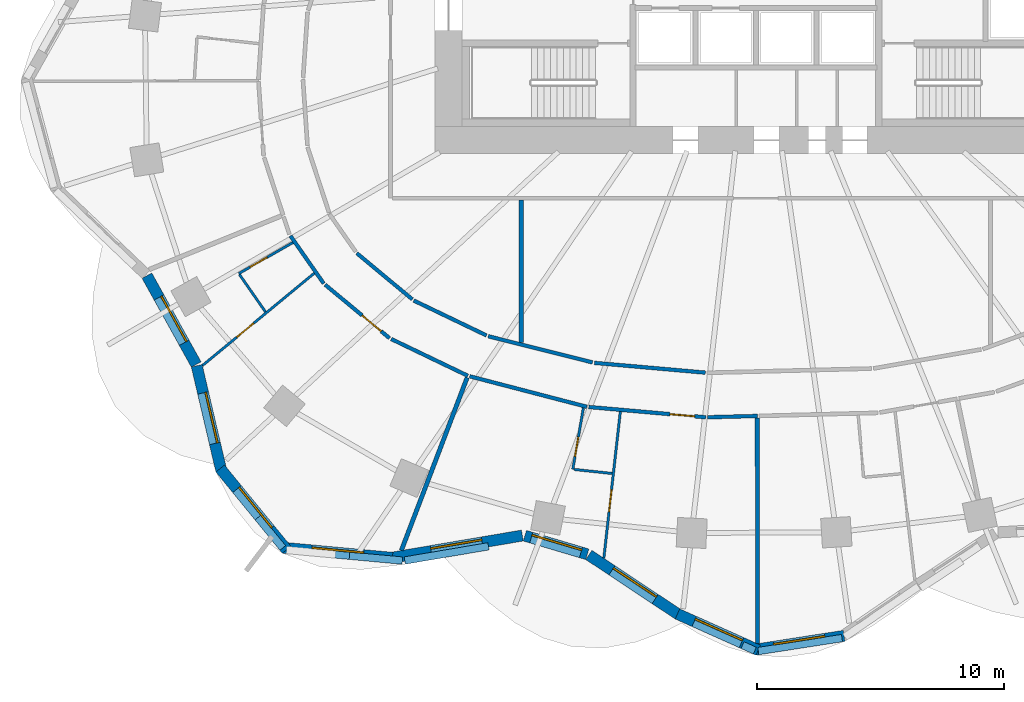
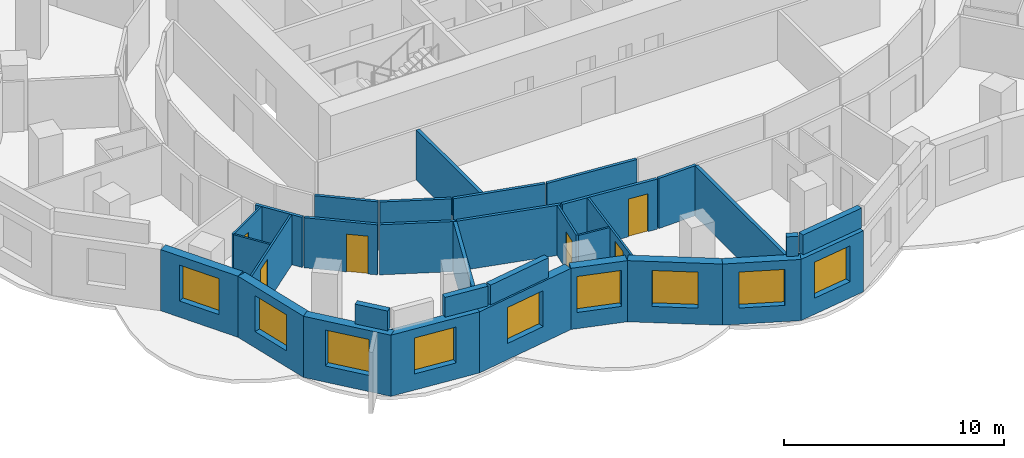
# One storey, part 3 of 11: 33 walls, 9 windows, 6 doors, 15 openings.
"""IFC4 building model written with IfcOpenShell, lengths in metres."""

import ifcopenshell
import ifcopenshell.guid

model = None  # the IFC model being written
_history = None  # IfcOwnerHistory: only IFC2X3 demands one
_inside = {}  # id of a spatial element -> (the spatial element, [elements in it])
_under = {}  # id of a project, library or spatial element -> (it, [spatial elements below it])
_declared = {}  # id of a project -> (the project, [libraries it declares])
_typed = {}  # id of a type object -> (the type object, [elements of that type])
_made_of = {}  # id of a material, layer set ... -> (it, [elements and type objects made of it])


def new_model(schema):
    """Start an empty IFC model of exactly this schema.

    Asked for "IFC4X3", IfcOpenShell would pick the latest addendum, in which some entities
    have other attributes; the version numbers below select the first issue.
    IFC2X3 requires an IfcOwnerHistory on every rooted entity: one is made here for all.
    """
    global model, _history
    if schema == "IFC4X3":
        model = ifcopenshell.file(schema_version=(4, 3, 0, 0))
    else:
        model = ifcopenshell.file(schema=schema)
    _inside.clear()
    _under.clear()
    _declared.clear()
    _typed.clear()
    _made_of.clear()
    _history = None
    if model.schema == "IFC2X3":
        org = make("IfcOrganization", Name="unknown")
        user = make(
            "IfcPersonAndOrganization",
            ThePerson=make("IfcPerson", FamilyName="unknown"),
            TheOrganization=org,
        )
        app = make(
            "IfcApplication",
            ApplicationDeveloper=org,
            Version="unknown",
            ApplicationFullName="unknown",
            ApplicationIdentifier="unknown",
        )
        _history = make(
            "IfcOwnerHistory",
            OwningUser=user,
            OwningApplication=app,
            ChangeAction="ADDED",
            CreationDate=0,
        )
    return model


def make(cls, **values):
    """One entity of the class cls with the attributes given. An attribute that is None is left unset."""
    return model.create_entity(
        cls, **{name: value for name, value in values.items() if value is not None}
    )


def rooted(cls, **values):
    """An entity with a GlobalId (a new one), such as an element, a storey or a relation."""
    return make(cls, GlobalId=ifcopenshell.guid.new(), OwnerHistory=_history, **values)


def si_unit(unit_type, name, prefix=None):
    """IfcSIUnit, for example si_unit("LENGTHUNIT", "METRE", prefix="MILLI")."""
    return make("IfcSIUnit", UnitType=unit_type, Prefix=prefix, Name=name)


def assignment(units):
    """IfcUnitAssignment: the units of a project."""
    return None if units is None else make("IfcUnitAssignment", Units=units)


def point(xyz):
    """IfcCartesianPoint."""
    return None if xyz is None else make("IfcCartesianPoint", Coordinates=xyz)


def direction(xyz):
    """IfcDirection."""
    return None if xyz is None else make("IfcDirection", DirectionRatios=xyz)


def frame(location, z_axis=None, x_axis=None):
    """IfcAxis2Placement3D, a coordinate frame: its origin and axes. An axis left out is left unset."""
    return make(
        "IfcAxis2Placement3D",
        Location=point(location),
        Axis=direction(z_axis),
        RefDirection=direction(x_axis),
    )


def frame_2d(location, x_axis=None):
    """IfcAxis2Placement2D, a coordinate frame in the plane: its origin and x axis."""
    return make(
        "IfcAxis2Placement2D", Location=point(location), RefDirection=direction(x_axis)
    )


def origin():
    """The frame at (0, 0, 0) with its axes left unset."""
    return frame((0.0, 0.0, 0.0))


def place(relative_to, where):
    """IfcLocalPlacement: puts the frame where relative to a parent placement (None: the world)."""
    return make(
        "IfcLocalPlacement", PlacementRelTo=relative_to, RelativePlacement=where
    )


def context(
    kind, dimensions, precision=None, world=None, true_north=None, identifier=None
):
    """IfcGeometricRepresentationContext, for example the 3D "Model" context."""
    return make(
        "IfcGeometricRepresentationContext",
        ContextIdentifier=identifier,
        ContextType=kind,
        CoordinateSpaceDimension=dimensions,
        Precision=precision,
        WorldCoordinateSystem=world,
        TrueNorth=true_north,
    )


def subcontext(parent, identifier, kind, view, scale=None):
    """IfcGeometricRepresentationSubContext, for example "Body" below "Model"."""
    return make(
        "IfcGeometricRepresentationSubContext",
        ContextIdentifier=identifier,
        ContextType=kind,
        ParentContext=parent,
        TargetScale=scale,
        TargetView=view,
    )


def project(units=None, contexts=None):
    """IfcProject with its units and contexts."""
    return rooted(
        "IfcProject",
        Name="project",
        RepresentationContexts=contexts,
        UnitsInContext=assignment(units),
    )


def spatial(cls, under=None, at=None, **own):
    """A site, building, storey or space (cls), placed at a placement, below another one or the project."""
    s = rooted(cls, ObjectPlacement=at, **own)
    if under is not None:
        _under.setdefault(under.id(), (under, []))[1].append(s)
    return s


def profile(cls, at=None, kind="AREA", **sizes):
    """A parametric profile (cls). Its sizes go by their IFC names, for example OverallWidth=200.0."""
    return make(cls, ProfileType=kind, Position=at, **sizes)


def rectangle(**sizes):
    """IfcRectangleProfileDef."""
    return profile("IfcRectangleProfileDef", **sizes)


def extrude(swept, where, along, depth):
    """IfcExtrudedAreaSolid: the profile swept, set in the frame where, extruded along a direction by depth."""
    return make(
        "IfcExtrudedAreaSolid",
        SweptArea=swept,
        Position=where,
        ExtrudedDirection=direction(along),
        Depth=depth,
    )


def shape(context_of_items, identifier, shape_type, items):
    """IfcShapeRepresentation: the items that make up one representation, for example the "Body"."""
    return make(
        "IfcShapeRepresentation",
        ContextOfItems=context_of_items,
        RepresentationIdentifier=identifier,
        RepresentationType=shape_type,
        Items=items,
    )


def material(Name=None, Category=None):
    """IfcMaterial."""
    return make("IfcMaterial", Name=Name, Category=Category)


def layer(
    of_material, thickness, ventilated=None, Name=None, Category=None, Priority=None
):
    """IfcMaterialLayer: one layer of a wall or slab, of a material (None: an air gap)."""
    return make(
        "IfcMaterialLayer",
        Material=of_material,
        LayerThickness=thickness,
        IsVentilated=ventilated,
        Name=Name,
        Category=Category,
        Priority=Priority,
    )


def layer_set(layers, Name=None):
    """IfcMaterialLayerSet."""
    return make("IfcMaterialLayerSet", MaterialLayers=layers, LayerSetName=Name)


def made_of(thing, what):
    """Note that an element or type object is made of a material, layer set ...; save() writes the relation."""
    if what is not None:
        _made_of.setdefault(what.id(), (what, []))[1].append(thing)
    return thing


def type_object(cls, material=None, **own):
    """A type object (cls), such as IfcWallType, which elements share."""
    return made_of(rooted(cls, **own), material)


def element(
    cls,
    number,
    at=None,
    inside=None,
    cuts=None,
    type_object=None,
    material=None,
    context=None,
    identifier="Body",
    shape_type=None,
    held_by="IfcProductDefinitionShape",
    body=None,
    shapes=None,
    **own,
):
    """One element of the class cls, such as IfcWall. Its Tag is "e" and its number.

    at: its placement. inside: the storey or other place that contains it. cuts: it is an
    opening in that element (IfcRelVoidsElement). A single representation is given by context,
    identifier, shape_type and body (its items); several are given by shapes. held_by: the class
    of the entity that holds the representations. save() writes the other relations.
    """
    e = rooted(cls, Tag="e%d" % number, ObjectPlacement=at, **own)
    if body is not None:
        shapes = [shape(context, identifier, shape_type, body)]
    if shapes is not None:
        e.Representation = make(held_by, Representations=shapes)
    if inside is not None:
        _inside.setdefault(inside.id(), (inside, []))[1].append(e)
    if cuts is not None:
        rooted(
            "IfcRelVoidsElement", RelatingBuildingElement=cuts, RelatedOpeningElement=e
        )
    if type_object is not None:
        _typed.setdefault(type_object.id(), (type_object, []))[1].append(e)
    return made_of(e, material)


def fill(opening, filler):
    """IfcRelFillsElement: the door or window that sits in an opening."""
    return rooted(
        "IfcRelFillsElement",
        RelatingOpeningElement=opening,
        RelatedBuildingElement=filler,
    )


def aggregate(whole, parts):
    """IfcRelAggregates: a whole, such as a stair, and the parts it consists of."""
    return rooted("IfcRelAggregates", RelatingObject=whole, RelatedObjects=parts)


def save(model, path):
    """Write the relations noted so far, then the file.

    IfcRelAggregates (storeys below a building ...), IfcRelContainedInSpatialStructure (elements
    in a storey), IfcRelDefinesByType, IfcRelAssociatesMaterial and IfcRelDeclares: one each for
    every whole, place, type object, material and project.
    """
    for whole, parts in _under.values():
        aggregate(whole, parts)
    for where, things in _inside.values():
        rooted(
            "IfcRelContainedInSpatialStructure",
            RelatedElements=things,
            RelatingStructure=where,
        )
    for kind, things in _typed.values():
        rooted("IfcRelDefinesByType", RelatedObjects=things, RelatingType=kind)
    for what, things in _made_of.values():
        rooted("IfcRelAssociatesMaterial", RelatedObjects=things, RelatingMaterial=what)
    for by, libraries in _declared.values():
        rooted("IfcRelDeclares", RelatingContext=by, RelatedDefinitions=libraries)
    model.write(path)


model = new_model("IFC4")

# Units and contexts
model_context = context("Model", 3, precision=1e-05, world=origin(), true_north=direction((0.0, 1.0)))
body_context = subcontext(model_context, "Body", "Model", "MODEL_VIEW")
ifc_project = project(units=[si_unit("LENGTHUNIT", "METRE"), si_unit("AREAUNIT", "SQUARE_METRE"), si_unit("VOLUMEUNIT", "CUBIC_METRE"), si_unit("PLANEANGLEUNIT", "RADIAN"), si_unit("MASSUNIT", "GRAM", prefix="KILO")], contexts=[model_context])

# Site, building, storey
site_placement = place(None, origin())
site = spatial("IfcSite", under=ifc_project, at=site_placement, CompositionType="ELEMENT")
building_placement = place(site_placement, origin())
building = spatial("IfcBuilding", under=site, at=building_placement, Name="Rubra Terraces Tower", CompositionType="ELEMENT")
storey_placement = place(building_placement, frame((0.0, 0.0, 99.60009765625)))
storey = spatial("IfcBuildingStorey", under=building, at=storey_placement, Name="L23", CompositionType="ELEMENT", Elevation=99.60009765625)

# Walls
ifc_material_1 = material(Name="Twin plasterboard on staggered steel stud, acoustic mineral wool", Category="steel")
ifc_layer_1 = layer(ifc_material_1, 0.175048828125)
ifc_layer_set_1 = layer_set([ifc_layer_1], Name="Twin plasterboard on staggered steel stud, acoustic mineral wool")
wall_type_1 = type_object("IfcWallType", Name="ACOUSTIC PARTY WALL 175", PredefinedType="PARTITIONING", material=ifc_layer_set_1)
wall_1_placement = place(storey_placement, frame((-14.358642578125, -19.062744140625, 0.0), z_axis=(0.0, 0.0, 1.0), x_axis=(0.355741824807, 0.934584268048, 0.0)))
element("IfcWall", 1, at=wall_1_placement, inside=storey, type_object=wall_type_1, Name="PARTITION", PredefinedType="PARTITIONING", context=body_context, shape_type="SweptSolid", body=[
    extrude(rectangle(XDim=7.489501953125, YDim=0.175048828125, at=frame_2d((3.74462890625, 0.0))), origin(), (0.0, 0.0, 1.0), 2.783935546875),
])
wall_2_placement = place(storey_placement, frame((0.0625, -22.83740234375, 0.0), z_axis=(0.0, 0.0, 1.0), x_axis=(-0.000614184887, 0.999999811388, 0.0)))
element("IfcWall", 2, at=wall_2_placement, inside=storey, type_object=wall_type_1, Name="PARTITION", PredefinedType="PARTITIONING", context=body_context, shape_type="SweptSolid", body=[
    extrude(rectangle(XDim=9.142578125, YDim=0.175048828125, at=frame_2d((4.5712890625, 0.0))), origin(), (0.0, 0.0, 1.0), 2.783935546875),
])
wall_3_placement = place(storey_placement, frame((-9.5, -10.653564453125, 0.0), z_axis=(0.0, 0.0, 1.0), x_axis=(0.0, 1.0, 0.0)))
element("IfcWall", 3, at=wall_3_placement, inside=storey, type_object=wall_type_1, Name="PARTITION", PredefinedType="PARTITIONING", context=body_context, shape_type="SweptSolid", body=[
    extrude(rectangle(XDim=5.778564453125, YDim=0.175048828125, at=frame_2d((2.88916015625, 0.0))), origin(), (0.0, 0.0, 1.0), 2.783935546875),
])

# Wall, opening, window
ifc_material_2 = material(Name="Brick masonry red-brown", Category="masonry")
ifc_layer_2 = layer(ifc_material_2, 0.449951171875)
ifc_layer_set_2 = layer_set([ifc_layer_2], Name="Brick masonry red-brown")
wall_type_2 = type_object("IfcWallType", Name="Brick facade wall 450", PredefinedType="SOLIDWALL", material=ifc_layer_set_2)
wall_4_placement = place(storey_placement, frame((-24.662109375, -7.93896484375, 0.0), z_axis=(0.0, 0.0, 1.0), x_axis=(0.485153910721, -0.874428775208, 0.0)))
wall_4 = element("IfcWall", 4, at=wall_4_placement, inside=storey, type_object=wall_type_2, Name="Facade wall L23 bay 23", PredefinedType="SOLIDWALL", context=body_context, shape_type="SweptSolid", body=[
    extrude(rectangle(XDim=4.1123046875, YDim=0.449951171875, at=frame_2d((2.05615234375, 0.0))), origin(), (0.0, 0.0, 1.0), 3.39990234375),
])
opening_1_placement = place(wall_4_placement, frame((1.006103515625, 0.0, 0.89990234375)))
opening_1 = element("IfcOpeningElement", 5, at=opening_1_placement, cuts=wall_4, Name="Opening W1", PredefinedType="OPENING", context=body_context, shape_type="SweptSolid", body=[
    extrude(rectangle(XDim=2.10009765625, YDim=2.0, at=frame_2d((1.050048828125, 1.0))), frame((0.0, 0.23486328125, 0.0), z_axis=(0.0, -1.0, 0.0), x_axis=(1.0, 0.0, 0.0)), (0.0, 0.0, 1.0), 0.469970703125),
])
ifc_material_3 = material(Name="Clear glass in aluminium frame", Category="aluminium")
window_type = type_object("IfcWindowType", Name="Fixed deep-set window 2100 x 2000", PartitioningType="SINGLE_PANEL", PredefinedType="WINDOW", material=ifc_material_3)
window_1_placement = place(opening_1_placement, origin())
window_1 = element("IfcWindow", 6, at=window_1_placement, inside=storey, type_object=window_type, Name="Window L23 bay 23", OverallHeight=2.0, OverallWidth=2.10009765625, PartitioningType="SINGLE_PANEL", PredefinedType="WINDOW", context=body_context, shape_type="SweptSolid", body=[
    extrude(rectangle(XDim=2.10009765625, YDim=2.0, at=frame_2d((1.050048828125, 1.0))), frame((0.0, 0.135009765625, 0.0), z_axis=(0.0, -1.0, 0.0), x_axis=(1.0, 0.0, 0.0)), (0.0, 0.0, 1.0), 0.06005859375),
])
fill(opening_1, window_1)

wall_5_placement = place(storey_placement, frame((-22.646484375, -11.5859375, 0.0), z_axis=(0.0, 0.0, 1.0), x_axis=(0.227925124198, -0.973678662475, 0.0)))
wall_5 = element("IfcWall", 7, at=wall_5_placement, inside=storey, type_object=wall_type_2, Name="Facade wall L23 bay 24", PredefinedType="SOLIDWALL", context=body_context, shape_type="SweptSolid", body=[
    extrude(rectangle(XDim=4.360595703125, YDim=0.449951171875, at=frame_2d((2.18017578125, 0.0))), origin(), (0.0, 0.0, 1.0), 3.39990234375),
])
opening_2_placement = place(wall_5_placement, frame((1.13037109375, 0.0, 0.89990234375)))
opening_2 = element("IfcOpeningElement", 8, at=opening_2_placement, cuts=wall_5, Name="Opening W1", PredefinedType="OPENING", context=body_context, shape_type="SweptSolid", body=[
    extrude(rectangle(XDim=2.10009765625, YDim=2.0, at=frame_2d((1.050048828125, 1.0))), frame((0.0, 0.23486328125, 0.0), z_axis=(0.0, -1.0, 0.0), x_axis=(1.0, 0.0, 0.0)), (0.0, 0.0, 1.0), 0.469970703125),
])
window_2_placement = place(opening_2_placement, origin())
window_2 = element("IfcWindow", 9, at=window_2_placement, inside=storey, type_object=window_type, Name="Window L23 bay 24", OverallHeight=2.0, OverallWidth=2.10009765625, PartitioningType="SINGLE_PANEL", PredefinedType="WINDOW", context=body_context, shape_type="SweptSolid", body=[
    extrude(rectangle(XDim=2.10009765625, YDim=2.0, at=frame_2d((1.050048828125, 1.0))), frame((0.0, 0.135009765625, 0.0), z_axis=(0.0, -1.0, 0.0), x_axis=(1.0, 0.0, 0.0)), (0.0, 0.0, 1.0), 0.06005859375),
])
fill(opening_2, window_2)

wall_6_placement = place(storey_placement, frame((-21.69580078125, -15.74755859375, 0.0), z_axis=(0.0, 0.0, 1.0), x_axis=(0.632968710519, -0.774177377288, 0.0)))
wall_6 = element("IfcWall", 10, at=wall_6_placement, inside=storey, type_object=wall_type_2, Name="Facade wall L23 bay 25", PredefinedType="SOLIDWALL", context=body_context, shape_type="SweptSolid", body=[
    extrude(rectangle(XDim=4.249755859375, YDim=0.449951171875, at=frame_2d((2.125, 0.0))), origin(), (0.0, 0.0, 1.0), 3.39990234375),
])
opening_3_placement = place(wall_6_placement, frame((1.074951171875, 0.0, 0.89990234375)))
opening_3 = element("IfcOpeningElement", 11, at=opening_3_placement, cuts=wall_6, Name="Opening W1", PredefinedType="OPENING", context=body_context, shape_type="SweptSolid", body=[
    extrude(rectangle(XDim=2.10009765625, YDim=2.0, at=frame_2d((1.050048828125, 1.0))), frame((0.0, 0.23486328125, 0.0), z_axis=(0.0, -1.0, 0.0), x_axis=(1.0, 0.0, 0.0)), (0.0, 0.0, 1.0), 0.469970703125),
])
window_3_placement = place(opening_3_placement, origin())
window_3 = element("IfcWindow", 12, at=window_3_placement, inside=storey, type_object=window_type, Name="Window L23 bay 25", OverallHeight=2.0, OverallWidth=2.10009765625, PartitioningType="SINGLE_PANEL", PredefinedType="WINDOW", context=body_context, shape_type="SweptSolid", body=[
    extrude(rectangle(XDim=2.10009765625, YDim=2.0, at=frame_2d((1.050048828125, 1.0))), frame((0.0, 0.135009765625, 0.0), z_axis=(0.0, -1.0, 0.0), x_axis=(1.0, 0.0, 0.0)), (0.0, 0.0, 1.0), 0.06005859375),
])
fill(opening_3, window_3)

wall_7_placement = place(storey_placement, frame((-19.1591796875, -18.955810546875, 0.0), z_axis=(0.0, 0.0, 1.0), x_axis=(0.995777399421, -0.091800712424, 0.0)))
wall_7 = element("IfcWall", 13, at=wall_7_placement, inside=storey, type_object=wall_type_2, Name="Facade wall L23 bay 26", PredefinedType="SOLIDWALL", context=body_context, shape_type="SweptSolid", body=[
    extrude(rectangle(XDim=4.45458984375, YDim=0.449951171875, at=frame_2d((2.227294921875, 0.0))), origin(), (0.0, 0.0, 1.0), 3.39990234375),
])
opening_4_placement = place(wall_7_placement, frame((1.177490234375, 0.0, 0.89990234375)))
opening_4 = element("IfcOpeningElement", 14, at=opening_4_placement, cuts=wall_7, Name="Opening W1", PredefinedType="OPENING", context=body_context, shape_type="SweptSolid", body=[
    extrude(rectangle(XDim=2.10009765625, YDim=2.0, at=frame_2d((1.050048828125, 1.0))), frame((0.0, 0.23486328125, 0.0), z_axis=(0.0, -1.0, 0.0), x_axis=(1.0, 0.0, 0.0)), (0.0, 0.0, 1.0), 0.469970703125),
])
window_4_placement = place(opening_4_placement, origin())
window_4 = element("IfcWindow", 15, at=window_4_placement, inside=storey, type_object=window_type, Name="Window L23 bay 26", OverallHeight=2.0, OverallWidth=2.10009765625, PartitioningType="SINGLE_PANEL", PredefinedType="WINDOW", context=body_context, shape_type="SweptSolid", body=[
    extrude(rectangle(XDim=2.10009765625, YDim=2.0, at=frame_2d((1.050048828125, 1.0))), frame((0.0, 0.135009765625, 0.0), z_axis=(0.0, -1.0, 0.0), x_axis=(1.0, 0.0, 0.0)), (0.0, 0.0, 1.0), 0.06005859375),
])
fill(opening_4, window_4)

wall_8_placement = place(storey_placement, frame((-14.78173828125, -19.366943359375, 0.0), z_axis=(0.0, 0.0, 1.0), x_axis=(0.98585584667, 0.167595493934, 0.0)))
wall_8 = element("IfcWall", 16, at=wall_8_placement, inside=storey, type_object=wall_type_2, Name="Facade wall L23 bay 27", PredefinedType="SOLIDWALL", context=body_context, shape_type="SweptSolid", body=[
    extrude(rectangle(XDim=5.398681640625, YDim=0.449951171875, at=frame_2d((2.69921875, 0.0))), origin(), (0.0, 0.0, 1.0), 3.39990234375),
])
opening_5_placement = place(wall_8_placement, frame((1.6494140625, 0.0, 0.89990234375)))
opening_5 = element("IfcOpeningElement", 17, at=opening_5_placement, cuts=wall_8, Name="Opening W1", PredefinedType="OPENING", context=body_context, shape_type="SweptSolid", body=[
    extrude(rectangle(XDim=2.10009765625, YDim=2.0, at=frame_2d((1.050048828125, 1.0))), frame((0.0, 0.23486328125, 0.0), z_axis=(0.0, -1.0, 0.0), x_axis=(1.0, 0.0, 0.0)), (0.0, 0.0, 1.0), 0.469970703125),
])
window_5_placement = place(opening_5_placement, origin())
window_5 = element("IfcWindow", 18, at=window_5_placement, inside=storey, type_object=window_type, Name="Window L23 bay 27", OverallHeight=2.0, OverallWidth=2.10009765625, PartitioningType="SINGLE_PANEL", PredefinedType="WINDOW", context=body_context, shape_type="SweptSolid", body=[
    extrude(rectangle(XDim=2.10009765625, YDim=2.0, at=frame_2d((1.050048828125, 1.0))), frame((0.0, 0.135009765625, 0.0), z_axis=(0.0, -1.0, 0.0), x_axis=(1.0, 0.0, 0.0)), (0.0, 0.0, 1.0), 0.06005859375),
])
fill(opening_5, window_5)

wall_9_placement = place(storey_placement, frame((-9.357421875, -18.468505859375, 0.0), z_axis=(0.0, 0.0, 1.0), x_axis=(0.958524054629, -0.285011643091, 0.0)))
wall_9 = element("IfcWall", 19, at=wall_9_placement, inside=storey, type_object=wall_type_2, Name="Facade wall L23 bay 28", PredefinedType="SOLIDWALL", context=body_context, shape_type="SweptSolid", body=[
    extrude(rectangle(XDim=2.637451171875, YDim=0.449951171875, at=frame_2d((1.31884765625, 0.0))), origin(), (0.0, 0.0, 1.0), 3.39990234375),
])
opening_6_placement = place(wall_9_placement, frame((0.268798828125, 0.0, 0.89990234375)))
opening_6 = element("IfcOpeningElement", 20, at=opening_6_placement, cuts=wall_9, Name="Opening W1", PredefinedType="OPENING", context=body_context, shape_type="SweptSolid", body=[
    extrude(rectangle(XDim=2.10009765625, YDim=2.0, at=frame_2d((1.050048828125, 1.0))), frame((0.0, 0.23486328125, 0.0), z_axis=(0.0, -1.0, 0.0), x_axis=(1.0, 0.0, 0.0)), (0.0, 0.0, 1.0), 0.469970703125),
])
window_6_placement = place(opening_6_placement, origin())
window_6 = element("IfcWindow", 21, at=window_6_placement, inside=storey, type_object=window_type, Name="Window L23 bay 28", OverallHeight=2.0, OverallWidth=2.10009765625, PartitioningType="SINGLE_PANEL", PredefinedType="WINDOW", context=body_context, shape_type="SweptSolid", body=[
    extrude(rectangle(XDim=2.10009765625, YDim=2.0, at=frame_2d((1.050048828125, 1.0))), frame((0.0, 0.135009765625, 0.0), z_axis=(0.0, -1.0, 0.0), x_axis=(1.0, 0.0, 0.0)), (0.0, 0.0, 1.0), 0.06005859375),
])
fill(opening_6, window_6)

wall_10_placement = place(storey_placement, frame((-6.76904296875, -19.248291015625, 0.0), z_axis=(0.0, 0.0, 1.0), x_axis=(0.832973379274, -0.553313066375, 0.0)))
wall_10 = element("IfcWall", 22, at=wall_10_placement, inside=storey, type_object=wall_type_2, Name="Facade wall L23 bay 29", PredefinedType="SOLIDWALL", context=body_context, shape_type="SweptSolid", body=[
    extrude(rectangle(XDim=4.348388671875, YDim=0.449951171875, at=frame_2d((2.17431640625, 0.0))), origin(), (0.0, 0.0, 1.0), 3.39990234375),
])
opening_7_placement = place(wall_10_placement, frame((1.1240234375, 0.0, 0.89990234375)))
opening_7 = element("IfcOpeningElement", 23, at=opening_7_placement, cuts=wall_10, Name="Opening W1", PredefinedType="OPENING", context=body_context, shape_type="SweptSolid", body=[
    extrude(rectangle(XDim=2.10009765625, YDim=2.0, at=frame_2d((1.050048828125, 1.0))), frame((0.0, 0.23486328125, 0.0), z_axis=(0.0, -1.0, 0.0), x_axis=(1.0, 0.0, 0.0)), (0.0, 0.0, 1.0), 0.469970703125),
])
window_7_placement = place(opening_7_placement, origin())
window_7 = element("IfcWindow", 24, at=window_7_placement, inside=storey, type_object=window_type, Name="Window L23 bay 29", OverallHeight=2.0, OverallWidth=2.10009765625, PartitioningType="SINGLE_PANEL", PredefinedType="WINDOW", context=body_context, shape_type="SweptSolid", body=[
    extrude(rectangle(XDim=2.10009765625, YDim=2.0, at=frame_2d((1.050048828125, 1.0))), frame((0.0, 0.135009765625, 0.0), z_axis=(0.0, -1.0, 0.0), x_axis=(1.0, 0.0, 0.0)), (0.0, 0.0, 1.0), 0.06005859375),
])
fill(opening_7, window_7)

wall_11_placement = place(storey_placement, frame((-3.179443359375, -21.63623046875, 0.0), z_axis=(0.0, 0.0, 1.0), x_axis=(0.912608353595, -0.40883492139, 0.0)))
wall_11 = element("IfcWall", 25, at=wall_11_placement, inside=storey, type_object=wall_type_2, Name="Facade wall L23 bay 30", PredefinedType="SOLIDWALL", context=body_context, shape_type="SweptSolid", body=[
    extrude(rectangle(XDim=3.584716796875, YDim=0.449951171875, at=frame_2d((1.79248046875, 0.0))), origin(), (0.0, 0.0, 1.0), 3.39990234375),
])
opening_8_placement = place(wall_11_placement, frame((0.7421875, 0.0, 0.89990234375)))
opening_8 = element("IfcOpeningElement", 26, at=opening_8_placement, cuts=wall_11, Name="Opening W1", PredefinedType="OPENING", context=body_context, shape_type="SweptSolid", body=[
    extrude(rectangle(XDim=2.10009765625, YDim=2.0, at=frame_2d((1.050048828125, 1.0))), frame((0.0, 0.23486328125, 0.0), z_axis=(0.0, -1.0, 0.0), x_axis=(1.0, 0.0, 0.0)), (0.0, 0.0, 1.0), 0.469970703125),
])
window_8_placement = place(opening_8_placement, origin())
window_8 = element("IfcWindow", 27, at=window_8_placement, inside=storey, type_object=window_type, Name="Window L23 bay 30", OverallHeight=2.0, OverallWidth=2.10009765625, PartitioningType="SINGLE_PANEL", PredefinedType="WINDOW", context=body_context, shape_type="SweptSolid", body=[
    extrude(rectangle(XDim=2.10009765625, YDim=2.0, at=frame_2d((1.050048828125, 1.0))), frame((0.0, 0.135009765625, 0.0), z_axis=(0.0, -1.0, 0.0), x_axis=(1.0, 0.0, 0.0)), (0.0, 0.0, 1.0), 0.06005859375),
])
fill(opening_8, window_8)

wall_12_placement = place(storey_placement, frame((-0.03466796875, -23.084716796875, 0.0), z_axis=(0.0, 0.0, 1.0), x_axis=(0.988133637562, 0.153596596054, 0.0)))
wall_12 = element("IfcWall", 28, at=wall_12_placement, inside=storey, type_object=wall_type_2, Name="Facade wall L23 bay 31", PredefinedType="SOLIDWALL", context=body_context, shape_type="SweptSolid", body=[
    extrude(rectangle(XDim=3.646240234375, YDim=0.449951171875, at=frame_2d((1.8232421875, 0.0))), origin(), (0.0, 0.0, 1.0), 3.39990234375),
])
opening_9_placement = place(wall_12_placement, frame((0.773193359375, 0.0, 0.89990234375)))
opening_9 = element("IfcOpeningElement", 29, at=opening_9_placement, cuts=wall_12, Name="Opening W1", PredefinedType="OPENING", context=body_context, shape_type="SweptSolid", body=[
    extrude(rectangle(XDim=2.10009765625, YDim=2.0, at=frame_2d((1.050048828125, 1.0))), frame((0.0, 0.23486328125, 0.0), z_axis=(0.0, -1.0, 0.0), x_axis=(1.0, 0.0, 0.0)), (0.0, 0.0, 1.0), 0.469970703125),
])
window_9_placement = place(opening_9_placement, origin())
window_9 = element("IfcWindow", 30, at=window_9_placement, inside=storey, type_object=window_type, Name="Window L23 bay 31", OverallHeight=2.0, OverallWidth=2.10009765625, PartitioningType="SINGLE_PANEL", PredefinedType="WINDOW", context=body_context, shape_type="SweptSolid", body=[
    extrude(rectangle(XDim=2.10009765625, YDim=2.0, at=frame_2d((1.050048828125, 1.0))), frame((0.0, 0.135009765625, 0.0), z_axis=(0.0, -1.0, 0.0), x_axis=(1.0, 0.0, 0.0)), (0.0, 0.0, 1.0), 0.06005859375),
])
fill(opening_9, window_9)

# Walls
ifc_layer_3 = layer(ifc_material_2, 0.300048828125)
ifc_layer_set_3 = layer_set([ifc_layer_3], Name="Brick masonry red-brown")
wall_type_3 = type_object("IfcWallType", Name="Brick parapet 300", PredefinedType="PARAPET", material=ifc_layer_set_3)
wall_13_placement = place(storey_placement, frame((-20.16845703125, -17.734130859375, 3.599853515625), z_axis=(0.0, 0.0, 1.0), x_axis=(0.632995189145, -0.774155727564, 0.0)))
element("IfcWall", 31, at=wall_13_placement, inside=storey, type_object=wall_type_3, Name="Parapet L23 bay 25", PredefinedType="PARAPET", context=body_context, shape_type="SweptSolid", body=[
    extrude(rectangle(XDim=1.58935546875, YDim=0.300048828125, at=frame_2d((0.794677734375, 0.0))), origin(), (0.0, 0.0, 1.0), 1.10009765625),
])
wall_14_placement = place(storey_placement, frame((-16.461669921875, -19.27978515625, 3.599853515625), z_axis=(0.0, 0.0, 1.0), x_axis=(0.995778015376, -0.091794030816, 0.0)))
element("IfcWall", 32, at=wall_14_placement, inside=storey, type_object=wall_type_3, Name="Parapet L23 bay 26.2", PredefinedType="PARAPET", context=body_context, shape_type="SweptSolid", body=[
    extrude(rectangle(XDim=2.151611328125, YDim=0.300048828125, at=frame_2d((1.07568359375, 0.0))), origin(), (0.0, 0.0, 1.0), 1.10009765625),
])
wall_15_placement = place(storey_placement, frame((-14.220947265625, -19.473388671875, 3.599853515625), z_axis=(0.0, 0.0, 1.0), x_axis=(0.985864880964, 0.167542342353, 0.0)))
element("IfcWall", 33, at=wall_15_placement, inside=storey, type_object=wall_type_3, Name="Parapet L23 bay 27", PredefinedType="PARAPET", context=body_context, shape_type="SweptSolid", body=[
    extrude(rectangle(XDim=3.4375, YDim=0.300048828125, at=frame_2d((1.71875, 0.0))), origin(), (0.0, 0.0, 1.0), 1.10009765625),
])
wall_16_placement = place(storey_placement, frame((-0.54541015625, -22.898193359375, 3.599853515625), z_axis=(0.0, 0.0, 1.0), x_axis=(0.912497815069, -0.409081578044, 0.0)))
element("IfcWall", 34, at=wall_16_placement, inside=storey, type_object=wall_type_3, Name="Parapet L23 bay 30", PredefinedType="PARAPET", context=body_context, shape_type="SweptSolid", body=[
    extrude(rectangle(XDim=0.546142578125, YDim=0.300048828125, at=frame_2d((0.27294921875, 0.0))), origin(), (0.0, 0.0, 1.0), 1.10009765625),
])
wall_17_placement = place(storey_placement, frame((0.09423828125, -23.140380859375, 3.599853515625), z_axis=(0.0, 0.0, 1.0), x_axis=(0.988150084887, 0.153490748056, 0.0)))
element("IfcWall", 35, at=wall_17_placement, inside=storey, type_object=wall_type_3, Name="Parapet L23 bay 31", PredefinedType="PARAPET", context=body_context, shape_type="SweptSolid", body=[
    extrude(rectangle(XDim=3.42919921875, YDim=0.300048828125, at=frame_2d((1.714599609375, 0.0))), origin(), (0.0, 0.0, 1.0), 1.10009765625),
])
ifc_material_4 = material(Name="Plasterboard on steel stud, mineral wool infill", Category="steel")
ifc_layer_4 = layer(ifc_material_4, 0.14990234375)
ifc_layer_set_4 = layer_set([ifc_layer_4], Name="Plasterboard on steel stud, mineral wool infill")
wall_type_4 = type_object("IfcWallType", Name="CORRIDOR PARTITION 150", PredefinedType="PARTITIONING", material=ifc_layer_set_4)
wall_18_placement = place(storey_placement, frame((-18.85107421875, -6.324951171875, 0.0), z_axis=(0.0, 0.0, 1.0), x_axis=(0.572090775968, -0.820190309656, 0.0)))
element("IfcWall", 36, at=wall_18_placement, inside=storey, type_object=wall_type_4, Name="PARTITION", PredefinedType="PARTITIONING", context=body_context, shape_type="SweptSolid", body=[
    extrude(rectangle(XDim=2.354736328125, YDim=0.14990234375, at=frame_2d((1.17724609375, 0.0))), origin(), (0.0, 0.0, 1.0), 2.783935546875),
])

# Wall, opening, door
wall_19_placement = place(storey_placement, frame((-17.4462890625, -8.30419921875, 0.0), z_axis=(0.0, 0.0, 1.0), x_axis=(0.769200174495, -0.639007896318, 0.0)))
wall_19 = element("IfcWall", 37, at=wall_19_placement, inside=storey, type_object=wall_type_4, Name="PARTITION", PredefinedType="PARTITIONING", context=body_context, shape_type="SweptSolid", body=[
    extrude(rectangle(XDim=3.390380859375, YDim=0.14990234375, at=frame_2d((1.6953125, 0.0))), origin(), (0.0, 0.0, 1.0), 2.783935546875),
])
opening_10_placement = place(wall_19_placement, frame((1.949951171875, 0.0, 0.0)))
opening_10 = element("IfcOpeningElement", 38, at=opening_10_placement, cuts=wall_19, Name="Opening 23-109", PredefinedType="OPENING", context=body_context, shape_type="SweptSolid", body=[
    extrude(rectangle(XDim=1.0, YDim=2.10009765625, at=frame_2d((0.5, 1.050048828125))), frame((0.0, 0.0849609375, 0.0), z_axis=(0.0, -1.0, 0.0), x_axis=(1.0, 0.0, 0.0)), (0.0, 0.0, 1.0), 0.169921875),
])
ifc_material_5 = material(Name="Painted timber door leaf", Category="wood")
door_type_1 = type_object("IfcDoorType", Name="ROOM DOOR 1000 X 2100", OperationType="SINGLE_SWING_LEFT", PredefinedType="DOOR", material=ifc_material_5)
door_1_placement = place(opening_10_placement, origin())
door_1 = element("IfcDoor", 39, at=door_1_placement, inside=storey, type_object=door_type_1, Name="DOOR 23-109", OperationType="SINGLE_SWING_RIGHT", OverallHeight=2.10009765625, OverallWidth=1.0, PredefinedType="DOOR", context=body_context, shape_type="SweptSolid", body=[
    extrude(rectangle(XDim=1.0, YDim=2.10009765625, at=frame_2d((0.5, 1.050048828125))), frame((0.0, 0.02490234375, 0.0), z_axis=(0.0, -1.0, 0.0), x_axis=(1.0, 0.0, 0.0)), (0.0, 0.0, 1.0), 0.050048828125),
])
fill(opening_10, door_1)

# Walls
wall_20_placement = place(storey_placement, frame((-14.77099609375, -10.50341796875, 0.0), z_axis=(0.0, 0.0, 1.0), x_axis=(0.901503135339, -0.432772569573, 0.0)))
element("IfcWall", 40, at=wall_20_placement, inside=storey, type_object=wall_type_4, Name="PARTITION", PredefinedType="PARTITIONING", context=body_context, shape_type="SweptSolid", body=[
    extrude(rectangle(XDim=3.4423828125, YDim=0.14990234375, at=frame_2d((1.72119140625, 0.0))), origin(), (0.0, 0.0, 1.0), 2.783935546875),
])
wall_21_placement = place(storey_placement, frame((-11.59521484375, -12.01220703125, 0.0), z_axis=(0.0, 0.0, 1.0), x_axis=(0.967696436642, -0.252118239146, 0.0)))
element("IfcWall", 41, at=wall_21_placement, inside=storey, type_object=wall_type_4, Name="PARTITION", PredefinedType="PARTITIONING", context=body_context, shape_type="SweptSolid", body=[
    extrude(rectangle(XDim=4.90966796875, YDim=0.14990234375, at=frame_2d((2.454833984375, 0.0))), origin(), (0.0, 0.0, 1.0), 2.783935546875),
])

# Wall, opening, door
wall_22_placement = place(storey_placement, frame((-6.76953125, -13.256591796875, 0.0), z_axis=(0.0, 0.0, 1.0), x_axis=(0.996139758015, -0.08778144737, 0.0)))
wall_22 = element("IfcWall", 42, at=wall_22_placement, inside=storey, type_object=wall_type_4, Name="PARTITION", PredefinedType="PARTITIONING", context=body_context, shape_type="SweptSolid", body=[
    extrude(rectangle(XDim=4.755859375, YDim=0.14990234375, at=frame_2d((2.3779296875, 0.0))), origin(), (0.0, 0.0, 1.0), 2.783935546875),
])
opening_11_placement = place(wall_22_placement, frame((3.300048828125, 0.0, 0.0)))
opening_11 = element("IfcOpeningElement", 43, at=opening_11_placement, cuts=wall_22, Name="Opening 23-112", PredefinedType="OPENING", context=body_context, shape_type="SweptSolid", body=[
    extrude(rectangle(XDim=1.0, YDim=2.10009765625, at=frame_2d((0.5, 1.050048828125))), frame((0.0, 0.0849609375, 0.0), z_axis=(0.0, -1.0, 0.0), x_axis=(1.0, 0.0, 0.0)), (0.0, 0.0, 1.0), 0.169921875),
])
door_2_placement = place(opening_11_placement, origin())
door_2 = element("IfcDoor", 44, at=door_2_placement, inside=storey, type_object=door_type_1, Name="DOOR 23-112", OperationType="SINGLE_SWING_RIGHT", OverallHeight=2.10009765625, OverallWidth=1.0, PredefinedType="DOOR", context=body_context, shape_type="SweptSolid", body=[
    extrude(rectangle(XDim=1.0, YDim=2.10009765625, at=frame_2d((0.5, 1.050048828125))), frame((0.0, 0.02490234375, 0.0), z_axis=(0.0, -1.0, 0.0), x_axis=(1.0, 0.0, 0.0)), (0.0, 0.0, 1.0), 0.050048828125),
])
fill(opening_11, door_2)

# Walls
wall_23_placement = place(storey_placement, frame((-1.95703125, -13.672119140625, 0.0), z_axis=(0.0, 0.0, 1.0), x_axis=(0.999663662109, 0.025933813031, 0.0)))
element("IfcWall", 45, at=wall_23_placement, inside=storey, type_object=wall_type_4, Name="PARTITION", PredefinedType="PARTITIONING", context=body_context, shape_type="SweptSolid", body=[
    extrude(rectangle(XDim=2.0146484375, YDim=0.14990234375, at=frame_2d((1.00732421875, 0.0))), origin(), (0.0, 0.0, 1.0), 2.783935546875),
])
wall_24_placement = place(storey_placement, frame((-2.05078125, -11.865478515625, 0.0), z_axis=(0.0, 0.0, 1.0), x_axis=(-0.996139599493, 0.087783246245, 0.0)))
element("IfcWall", 46, at=wall_24_placement, inside=storey, type_object=wall_type_4, Name="PARTITION", PredefinedType="PARTITIONING", context=body_context, shape_type="SweptSolid", body=[
    extrude(rectangle(XDim=4.510986328125, YDim=0.14990234375, at=frame_2d((2.25537109375, 0.0))), origin(), (0.0, 0.0, 1.0), 2.783935546875),
])
wall_25_placement = place(storey_placement, frame((-6.6171875, -11.451416015625, 0.0), z_axis=(0.0, 0.0, 1.0), x_axis=(-0.969987441267, 0.243155020069, 0.0)))
element("IfcWall", 47, at=wall_25_placement, inside=storey, type_object=wall_type_4, Name="PARTITION", PredefinedType="PARTITIONING", context=body_context, shape_type="SweptSolid", body=[
    extrude(rectangle(XDim=4.358642578125, YDim=0.14990234375, at=frame_2d((2.17919921875, 0.0))), origin(), (0.0, 0.0, 1.0), 2.783935546875),
])
wall_26_placement = place(storey_placement, frame((-10.91259765625, -10.35888671875, 0.0), z_axis=(0.0, 0.0, 1.0), x_axis=(-0.90149741277, 0.432784489982, 0.0)))
element("IfcWall", 48, at=wall_26_placement, inside=storey, type_object=wall_type_4, Name="PARTITION", PredefinedType="PARTITIONING", context=body_context, shape_type="SweptSolid", body=[
    extrude(rectangle(XDim=3.2685546875, YDim=0.14990234375, at=frame_2d((1.63427734375, 0.0))), origin(), (0.0, 0.0, 1.0), 2.783935546875),
])
wall_27_placement = place(storey_placement, frame((-13.916748046875, -8.896484375, 0.0), z_axis=(0.0, 0.0, 1.0), x_axis=(-0.769130409479, 0.639091866021, 0.0)))
element("IfcWall", 49, at=wall_27_placement, inside=storey, type_object=wall_type_4, Name="PARTITION", PredefinedType="PARTITIONING", context=body_context, shape_type="SweptSolid", body=[
    extrude(rectangle(XDim=2.925048828125, YDim=0.14990234375, at=frame_2d((1.46240234375, 0.0))), origin(), (0.0, 0.0, 1.0), 2.783935546875),
])

# Wall, opening, door
ifc_material_6 = material(Name="Plasterboard on steel stud", Category="steel")
ifc_layer_5 = layer(ifc_material_6, 0.10009765625)
ifc_layer_set_5 = layer_set([ifc_layer_5], Name="Plasterboard on steel stud")
wall_type_5 = type_object("IfcWallType", Name="ROOM PARTITION 100", PredefinedType="PARTITIONING", material=ifc_layer_set_5)
wall_28_placement = place(storey_placement, frame((-22.41357421875, -11.576416015625, 0.0), z_axis=(0.0, 0.0, 1.0), x_axis=(0.771144598581, 0.636660041214, 0.0)))
wall_28 = element("IfcWall", 50, at=wall_28_placement, inside=storey, type_object=wall_type_5, Name="PARTITION", PredefinedType="PARTITIONING", context=body_context, shape_type="SweptSolid", body=[
    extrude(rectangle(XDim=5.870849609375, YDim=0.10009765625, at=frame_2d((2.935546875, 0.0))), origin(), (0.0, 0.0, 1.0), 2.783935546875),
])
opening_12_placement = place(wall_28_placement, frame((1.7958984375, 0.0, 0.0)))
opening_12 = element("IfcOpeningElement", 51, at=opening_12_placement, cuts=wall_28, Name="Opening 23-108", PredefinedType="OPENING", context=body_context, shape_type="SweptSolid", body=[
    extrude(rectangle(XDim=0.89990234375, YDim=2.39990234375, at=frame_2d((0.449951171875, 1.199951171875))), frame((0.0, 0.06005859375, 0.0), z_axis=(0.0, -1.0, 0.0), x_axis=(1.0, 0.0, 0.0)), (0.0, 0.0, 1.0), 0.1201171875),
])
ifc_material_7 = material(Name="Veneered timber door leaf, fire-rated", Category="wood")
door_type_2 = type_object("IfcDoorType", Name="SUITE ENTRANCE DOOR 900 X 2400", OperationType="SINGLE_SWING_LEFT", PredefinedType="DOOR", material=ifc_material_7)
door_3_placement = place(opening_12_placement, origin())
door_3 = element("IfcDoor", 52, at=door_3_placement, inside=storey, type_object=door_type_2, Name="DOOR 23-108", OperationType="SINGLE_SWING_LEFT", OverallHeight=2.39990234375, OverallWidth=0.89990234375, PredefinedType="DOOR", context=body_context, shape_type="SweptSolid", body=[
    extrude(rectangle(XDim=0.89990234375, YDim=2.39990234375, at=frame_2d((0.449951171875, 1.199951171875))), frame((0.0, 0.02490234375, 0.0), z_axis=(0.0, -1.0, 0.0), x_axis=(1.0, 0.0, 0.0)), (0.0, 0.0, 1.0), 0.050048828125),
])
fill(opening_12, door_3)

wall_29_placement = place(storey_placement, frame((-18.751708984375, -6.597900390625, 0.0), z_axis=(0.0, 0.0, 1.0), x_axis=(-0.867981215955, -0.496597028534, 0.0)))
wall_29 = element("IfcWall", 53, at=wall_29_placement, inside=storey, type_object=wall_type_5, Name="PARTITION", PredefinedType="PARTITIONING", context=body_context, shape_type="SweptSolid", body=[
    extrude(rectangle(XDim=2.52490234375, YDim=0.10009765625, at=frame_2d((1.262451171875, 0.0))), origin(), (0.0, 0.0, 1.0), 2.783935546875),
])
opening_13_placement = place(wall_29_placement, frame((1.199951171875, 0.0, 0.0)))
opening_13 = element("IfcOpeningElement", 54, at=opening_13_placement, cuts=wall_29, Name="Opening 23-107", PredefinedType="OPENING", context=body_context, shape_type="SweptSolid", body=[
    extrude(rectangle(XDim=0.800048828125, YDim=2.10009765625, at=frame_2d((0.39990234375, 1.050048828125))), frame((0.0, 0.06005859375, 0.0), z_axis=(0.0, -1.0, 0.0), x_axis=(1.0, 0.0, 0.0)), (0.0, 0.0, 1.0), 0.1201171875),
])
door_type_3 = type_object("IfcDoorType", Name="BATHROOM DOOR 800 X 2100", OperationType="SINGLE_SWING_LEFT", PredefinedType="DOOR", material=ifc_material_5)
door_4_placement = place(opening_13_placement, origin())
door_4 = element("IfcDoor", 55, at=door_4_placement, inside=storey, type_object=door_type_3, Name="DOOR 23-107", OperationType="SINGLE_SWING_LEFT", OverallHeight=2.10009765625, OverallWidth=0.800048828125, PredefinedType="DOOR", context=body_context, shape_type="SweptSolid", body=[
    extrude(rectangle(XDim=0.800048828125, YDim=2.10009765625, at=frame_2d((0.39990234375, 1.050048828125))), frame((0.0, 0.02490234375, 0.0), z_axis=(0.0, -1.0, 0.0), x_axis=(1.0, 0.0, 0.0)), (0.0, 0.0, 1.0), 0.050048828125),
])
fill(opening_13, door_4)

# Wall
wall_30_placement = place(storey_placement, frame((-20.914794921875, -7.892822265625, 0.0), z_axis=(0.0, 0.0, 1.0), x_axis=(0.571281847323, -0.820753952728, 0.0)))
element("IfcWall", 56, at=wall_30_placement, inside=storey, type_object=wall_type_5, Name="PARTITION", PredefinedType="PARTITIONING", context=body_context, shape_type="SweptSolid", body=[
    extrude(rectangle(XDim=1.8427734375, YDim=0.10009765625, at=frame_2d((0.92138671875, 0.0))), origin(), (0.0, 0.0, 1.0), 2.783935546875),
])

# Wall, opening, door
wall_31_placement = place(storey_placement, frame((-6.160888671875, -19.37744140625, 0.0), z_axis=(0.0, 0.0, 1.0), x_axis=(0.111916919639, 0.993717567067, 0.0)))
wall_31 = element("IfcWall", 57, at=wall_31_placement, inside=storey, type_object=wall_type_5, Name="PARTITION", PredefinedType="PARTITIONING", context=body_context, shape_type="SweptSolid", body=[
    extrude(rectangle(XDim=5.970703125, YDim=0.10009765625, at=frame_2d((2.9853515625, 0.0))), origin(), (0.0, 0.0, 1.0), 2.783935546875),
])
opening_14_placement = place(wall_31_placement, frame((1.89599609375, 0.0, 0.0)))
opening_14 = element("IfcOpeningElement", 58, at=opening_14_placement, cuts=wall_31, Name="Opening 23-111", PredefinedType="OPENING", context=body_context, shape_type="SweptSolid", body=[
    extrude(rectangle(XDim=0.89990234375, YDim=2.39990234375, at=frame_2d((0.449951171875, 1.199951171875))), frame((0.0, 0.06005859375, 0.0), z_axis=(0.0, -1.0, 0.0), x_axis=(1.0, 0.0, 0.0)), (0.0, 0.0, 1.0), 0.1201171875),
])
door_5_placement = place(opening_14_placement, origin())
door_5 = element("IfcDoor", 59, at=door_5_placement, inside=storey, type_object=door_type_2, Name="DOOR 23-111", OperationType="SINGLE_SWING_LEFT", OverallHeight=2.39990234375, OverallWidth=0.89990234375, PredefinedType="DOOR", context=body_context, shape_type="SweptSolid", body=[
    extrude(rectangle(XDim=0.89990234375, YDim=2.39990234375, at=frame_2d((0.449951171875, 1.199951171875))), frame((0.0, 0.02490234375, 0.0), z_axis=(0.0, -1.0, 0.0), x_axis=(1.0, 0.0, 0.0)), (0.0, 0.0, 1.0), 0.050048828125),
])
fill(opening_14, door_5)

wall_32_placement = place(storey_placement, frame((-6.98779296875, -13.291015625, 0.0), z_axis=(0.0, 0.0, 1.0), x_axis=(-0.170447564411, -0.985366747859, 0.0)))
wall_32 = element("IfcWall", 60, at=wall_32_placement, inside=storey, type_object=wall_type_5, Name="PARTITION", PredefinedType="PARTITIONING", context=body_context, shape_type="SweptSolid", body=[
    extrude(rectangle(XDim=2.525146484375, YDim=0.10009765625, at=frame_2d((1.2626953125, 0.0))), origin(), (0.0, 0.0, 1.0), 2.783935546875),
])
opening_15_placement = place(wall_32_placement, frame((1.199951171875, 0.0, 0.0)))
opening_15 = element("IfcOpeningElement", 61, at=opening_15_placement, cuts=wall_32, Name="Opening 23-110", PredefinedType="OPENING", context=body_context, shape_type="SweptSolid", body=[
    extrude(rectangle(XDim=0.800048828125, YDim=2.10009765625, at=frame_2d((0.39990234375, 1.050048828125))), frame((0.0, 0.06005859375, 0.0), z_axis=(0.0, -1.0, 0.0), x_axis=(1.0, 0.0, 0.0)), (0.0, 0.0, 1.0), 0.1201171875),
])
door_6_placement = place(opening_15_placement, origin())
door_6 = element("IfcDoor", 62, at=door_6_placement, inside=storey, type_object=door_type_3, Name="DOOR 23-110", OperationType="SINGLE_SWING_LEFT", OverallHeight=2.10009765625, OverallWidth=0.800048828125, PredefinedType="DOOR", context=body_context, shape_type="SweptSolid", body=[
    extrude(rectangle(XDim=0.800048828125, YDim=2.10009765625, at=frame_2d((0.39990234375, 1.050048828125))), frame((0.0, 0.02490234375, 0.0), z_axis=(0.0, -1.0, 0.0), x_axis=(1.0, 0.0, 0.0)), (0.0, 0.0, 1.0), 0.050048828125),
])
fill(opening_15, door_6)

# Wall
wall_33_placement = place(storey_placement, frame((-7.368408203125, -15.784423828125, 0.0), z_axis=(0.0, 0.0, 1.0), x_axis=(0.994412830605, -0.105560988663, 0.0)))
element("IfcWall", 63, at=wall_33_placement, inside=storey, type_object=wall_type_5, Name="PARTITION", PredefinedType="PARTITIONING", context=body_context, shape_type="SweptSolid", body=[
    extrude(rectangle(XDim=1.552001953125, YDim=0.10009765625, at=frame_2d((0.77587890625, 0.0))), origin(), (0.0, 0.0, 1.0), 2.783935546875),
])

save(model, "model.ifc")
